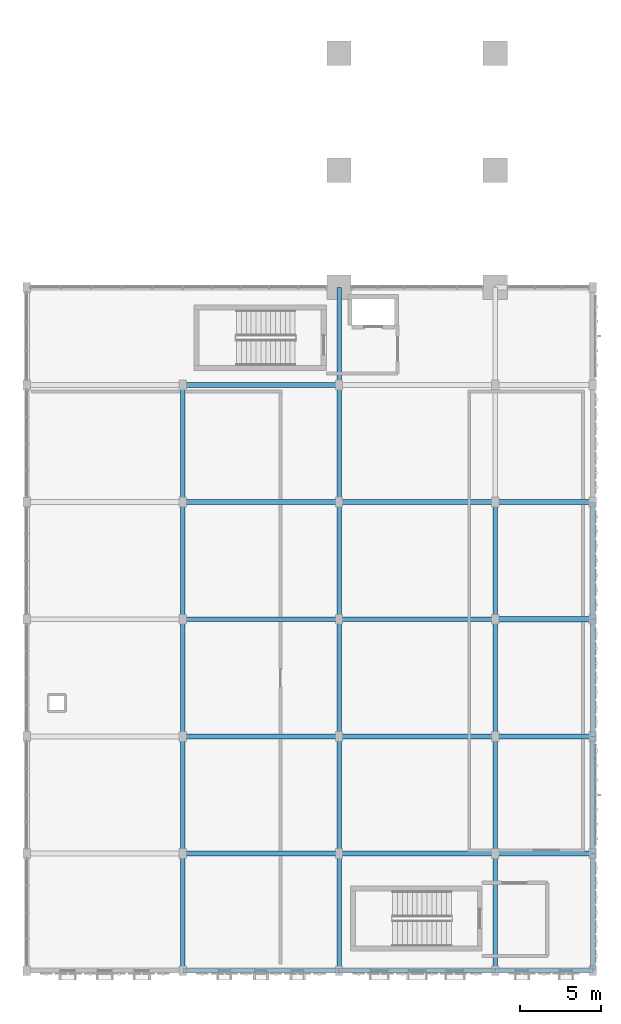
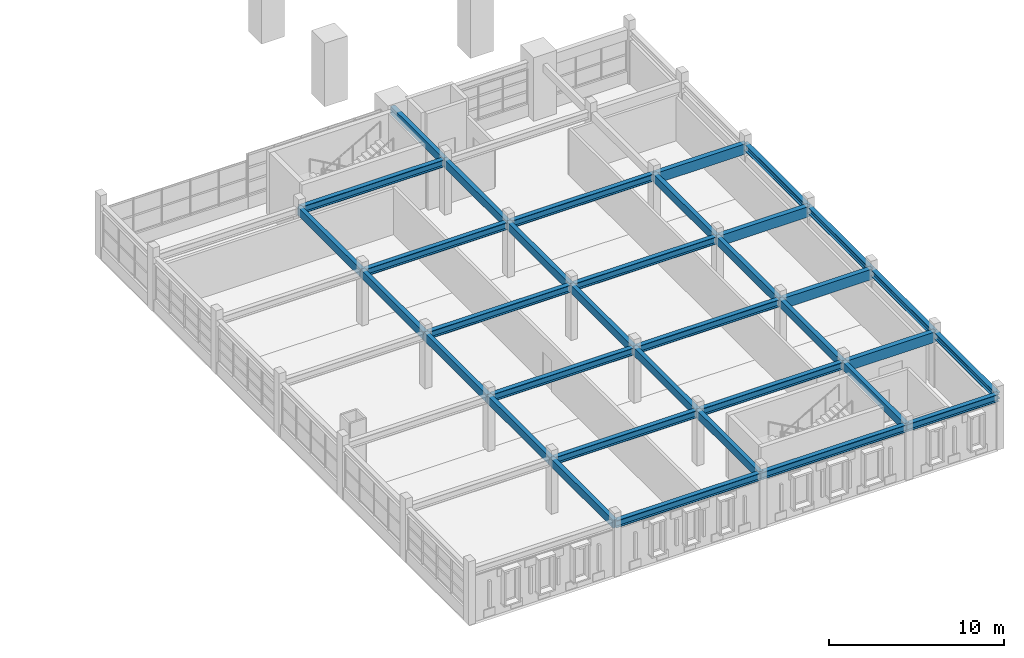
# One storey, part 26 of 69: 35 beams.
"""IFC4 building model written with IfcOpenShell, lengths in metres."""

from ifc_helpers import new_model, si_unit, direction, frame, origin, origin_2d, place, context, subcontext, project, spatial, rectangle, i_section, extrude, material, material_profile, profile_set, type_object, element, save


model = new_model("IFC4")

# Units and contexts
model_context = context("Model", 3, precision=1e-05, world=origin(), true_north=direction((0.0, 1.0)))
body_context = subcontext(model_context, "Body", "Model", "MODEL_VIEW")
ifc_project = project(units=[si_unit("LENGTHUNIT", "METRE"), si_unit("AREAUNIT", "SQUARE_METRE"), si_unit("VOLUMEUNIT", "CUBIC_METRE"), si_unit("PLANEANGLEUNIT", "RADIAN"), si_unit("MASSUNIT", "GRAM", prefix="KILO")], contexts=[model_context])

# Site, building, storey
site_placement = place(None, origin())
site = spatial("IfcSite", under=ifc_project, at=site_placement, CompositionType="ELEMENT")
building_placement = place(site_placement, origin())
building = spatial("IfcBuilding", under=site, at=building_placement, Name="Nzembalo Square Collegiate School", CompositionType="ELEMENT")
storey_placement = place(building_placement, frame((0.0, 0.0, 5.10009765625)))
storey = spatial("IfcBuildingStorey", under=building, at=storey_placement, Name="L01", CompositionType="ELEMENT", Elevation=5.10009765625)

# Beams
ifc_material_1 = material(Name="Glulam GL32h", Category="wood")
ifc_material_profile_1 = material_profile(ifc_material_1, rectangle(XDim=0.320068359375, YDim=0.719970703125, at=origin_2d()), Name="GL32h 320x720")
ifc_profile_set_1 = profile_set([ifc_material_profile_1], Name="Glulam GL32h")
beam_type_1 = type_object("IfcBeamType", Name="B03", PredefinedType="BEAM", material=ifc_profile_set_1)
for number, where, z_axis, x_axis, name in (
    (1, (159.60009765625, 15.60009765625, 3.389892578125), (1.0, 0.0, 0.0), (0.0, 1.0, 0.0), "Beam B03 L01"),
    (2, (159.60009765625, 22.800048828125, 3.389892578125), (1.0, 0.0, 0.0), (0.0, 1.0, 0.0), "Beam B03 L01"),
    (3, (159.60009765625, 30.0, 3.389892578125), (1.0, 0.0, 0.0), (0.0, 1.0, 0.0), "Beam B03 L01"),
    (4, (159.60009765625, 37.199951171875, 3.389892578125), (1.0, 0.0, 0.0), (0.0, 1.0, 0.0), "Beam B03 L01"),
):
    element("IfcBeam", number, at=place(storey_placement, frame(where, z_axis=z_axis, x_axis=x_axis)), inside=storey, type_object=beam_type_1, Name=name, PredefinedType="BEAM", context=body_context, shape_type="SweptSolid", body=[
        extrude(rectangle(XDim=0.320068359375, YDim=0.719970703125, at=origin_2d()), origin(), (0.0, 0.0, 1.0), 6.0),
    ])
ifc_material_2 = material(Name="Glulam GL28h", Category="wood")
ifc_material_profile_2 = material_profile(ifc_material_2, rectangle(XDim=0.280029296875, YDim=0.56005859375, at=origin_2d()), Name="GL28h 280x560")
ifc_profile_set_2 = profile_set([ifc_material_profile_2], Name="Glulam GL28h")
beam_type_2 = type_object("IfcBeamType", Name="B05", PredefinedType="BEAM", material=ifc_profile_set_2)
beam_1_placement = place(storey_placement, frame((140.39990234375, 8.39990234375, 3.469970703125), z_axis=(0.0, 1.0, 0.0), x_axis=(-1.0, 0.0, 0.0)))
element("IfcBeam", 5, at=beam_1_placement, inside=storey, type_object=beam_type_2, Name="Beam B05 L01", PredefinedType="BEAM", context=body_context, shape_type="SweptSolid", body=[
    extrude(rectangle(XDim=0.280029296875, YDim=0.56005859375, at=origin_2d()), origin(), (0.0, 0.0, 1.0), 7.2001953125),
])
for number, where, z_axis, x_axis, name in (
    (6, (140.39990234375, 15.60009765625, 3.469970703125), (0.0, 1.0, 0.0), (-1.0, 0.0, 0.0), "Beam B05 L01"),
    (7, (140.39990234375, 22.800048828125, 3.469970703125), (0.0, 1.0, 0.0), (-1.0, 0.0, 0.0), "Beam B05 L01"),
    (8, (140.39990234375, 30.0, 3.469970703125), (0.0, 1.0, 0.0), (-1.0, 0.0, 0.0), "Beam B05 L01"),
    (9, (140.39990234375, 37.199951171875, 3.469970703125), (0.0, 1.0, 0.0), (-1.0, 0.0, 0.0), "Beam B05 L01"),
):
    element("IfcBeam", number, at=place(storey_placement, frame(where, z_axis=z_axis, x_axis=x_axis)), inside=storey, type_object=beam_type_2, Name=name, PredefinedType="BEAM", context=body_context, shape_type="SweptSolid", body=[
        extrude(rectangle(XDim=0.280029296875, YDim=0.56005859375, at=origin_2d()), origin(), (0.0, 0.0, 1.0), 7.199951171875),
    ])
beam_2_placement = place(storey_placement, frame((150.0, 8.39990234375, 3.469970703125), z_axis=(0.0, 1.0, 0.0), x_axis=(-1.0, 0.0, 0.0)))
element("IfcBeam", 10, at=beam_2_placement, inside=storey, type_object=beam_type_2, Name="Beam B05 L01", PredefinedType="BEAM", context=body_context, shape_type="SweptSolid", body=[
    extrude(rectangle(XDim=0.280029296875, YDim=0.56005859375, at=origin_2d()), origin(), (0.0, 0.0, 1.0), 7.2001953125),
])
for number, where, z_axis, x_axis, name in (
    (11, (150.0, 15.60009765625, 3.469970703125), (0.0, 1.0, 0.0), (-1.0, 0.0, 0.0), "Beam B05 L01"),
    (12, (150.0, 22.800048828125, 3.469970703125), (0.0, 1.0, 0.0), (-1.0, 0.0, 0.0), "Beam B05 L01"),
    (13, (150.0, 30.0, 3.469970703125), (0.0, 1.0, 0.0), (-1.0, 0.0, 0.0), "Beam B05 L01"),
    (14, (150.0, 37.199951171875, 3.469970703125), (0.0, 1.0, 0.0), (-1.0, 0.0, 0.0), "Beam B05 L01"),
):
    element("IfcBeam", number, at=place(storey_placement, frame(where, z_axis=z_axis, x_axis=x_axis)), inside=storey, type_object=beam_type_2, Name=name, PredefinedType="BEAM", context=body_context, shape_type="SweptSolid", body=[
        extrude(rectangle(XDim=0.280029296875, YDim=0.56005859375, at=origin_2d()), origin(), (0.0, 0.0, 1.0), 7.199951171875),
    ])
beam_3_placement = place(storey_placement, frame((150.0, 44.39990234375, 3.469970703125), z_axis=(0.0, 1.0, 0.0), x_axis=(-1.0, 0.0, 0.0)))
element("IfcBeam", 15, at=beam_3_placement, inside=storey, type_object=beam_type_2, Name="Beam B05 L01", PredefinedType="BEAM", context=body_context, shape_type="SweptSolid", body=[
    extrude(rectangle(XDim=0.280029296875, YDim=0.56005859375, at=origin_2d()), origin(), (0.0, 0.0, 1.0), 6.0),
])
beam_4_placement = place(storey_placement, frame((159.60009765625, 8.39990234375, 3.469970703125), z_axis=(0.0, 1.0, 0.0), x_axis=(-1.0, 0.0, 0.0)))
element("IfcBeam", 16, at=beam_4_placement, inside=storey, type_object=beam_type_2, Name="Beam B05 L01", PredefinedType="BEAM", context=body_context, shape_type="SweptSolid", body=[
    extrude(rectangle(XDim=0.280029296875, YDim=0.56005859375, at=origin_2d()), origin(), (0.0, 0.0, 1.0), 7.2001953125),
])
for number, where, z_axis, x_axis, name in (
    (17, (159.60009765625, 15.60009765625, 3.469970703125), (0.0, 1.0, 0.0), (-1.0, 0.0, 0.0), "Beam B05 L01"),
    (18, (159.60009765625, 22.800048828125, 3.469970703125), (0.0, 1.0, 0.0), (-1.0, 0.0, 0.0), "Beam B05 L01"),
    (19, (159.60009765625, 30.0, 3.469970703125), (0.0, 1.0, 0.0), (-1.0, 0.0, 0.0), "Beam B05 L01"),
):
    element("IfcBeam", number, at=place(storey_placement, frame(where, z_axis=z_axis, x_axis=x_axis)), inside=storey, type_object=beam_type_2, Name=name, PredefinedType="BEAM", context=body_context, shape_type="SweptSolid", body=[
        extrude(rectangle(XDim=0.280029296875, YDim=0.56005859375, at=origin_2d()), origin(), (0.0, 0.0, 1.0), 7.199951171875),
    ])
ifc_material_3 = material(Name="Steel S355", Category="steel")
ifc_material_profile_3 = material_profile(ifc_material_3, i_section(OverallWidth=0.300048828125, OverallDepth=0.5, WebThickness=0.014404296875, FlangeThickness=0.028076171875, at=origin_2d()), Name="HEB 500")
ifc_profile_set_3 = profile_set([ifc_material_profile_3], Name="Steel S355")
beam_type_3 = type_object("IfcBeamType", Name="B07", PredefinedType="BEAM", material=ifc_profile_set_3)
for number, where, z_axis, x_axis, name in (
    (20, (140.39990234375, 8.39990234375, 3.5), (1.0, 0.0, 0.0), (0.0, 1.0, 0.0), "Beam B07 L01"),
    (21, (150.0, 8.39990234375, 3.5), (1.0, 0.0, 0.0), (0.0, 1.0, 0.0), "Beam B07 L01"),
):
    element("IfcBeam", number, at=place(storey_placement, frame(where, z_axis=z_axis, x_axis=x_axis)), inside=storey, type_object=beam_type_3, Name=name, PredefinedType="BEAM", context=body_context, shape_type="SweptSolid", body=[
        extrude(i_section(OverallWidth=0.300048828125, OverallDepth=0.5, WebThickness=0.014404296875, FlangeThickness=0.028076171875, at=origin_2d()), origin(), (0.0, 0.0, 1.0), 9.60009765625),
    ])
beam_5_placement = place(storey_placement, frame((159.60009765625, 8.39990234375, 3.5), z_axis=(1.0, 0.0, 0.0), x_axis=(0.0, 1.0, 0.0)))
element("IfcBeam", 22, at=beam_5_placement, inside=storey, type_object=beam_type_3, Name="Beam B07 L01", PredefinedType="BEAM", context=body_context, shape_type="SweptSolid", body=[
    extrude(i_section(OverallWidth=0.300048828125, OverallDepth=0.5, WebThickness=0.014404296875, FlangeThickness=0.028076171875, at=origin_2d()), origin(), (0.0, 0.0, 1.0), 6.0),
])
for number, where, z_axis, x_axis, name in (
    (23, (140.39990234375, 15.60009765625, 3.5), (1.0, 0.0, 0.0), (0.0, 1.0, 0.0), "Beam B07 L01"),
    (24, (150.0, 15.60009765625, 3.5), (1.0, 0.0, 0.0), (0.0, 1.0, 0.0), "Beam B07 L01"),
    (25, (140.39990234375, 22.800048828125, 3.5), (1.0, 0.0, 0.0), (0.0, 1.0, 0.0), "Beam B07 L01"),
    (26, (150.0, 22.800048828125, 3.5), (1.0, 0.0, 0.0), (0.0, 1.0, 0.0), "Beam B07 L01"),
    (27, (140.39990234375, 30.0, 3.5), (1.0, 0.0, 0.0), (0.0, 1.0, 0.0), "Beam B07 L01"),
    (28, (150.0, 30.0, 3.5), (1.0, 0.0, 0.0), (0.0, 1.0, 0.0), "Beam B07 L01"),
    (29, (140.39990234375, 37.199951171875, 3.5), (1.0, 0.0, 0.0), (0.0, 1.0, 0.0), "Beam B07 L01"),
    (30, (150.0, 37.199951171875, 3.5), (1.0, 0.0, 0.0), (0.0, 1.0, 0.0), "Beam B07 L01"),
    (31, (140.39990234375, 44.39990234375, 3.5), (1.0, 0.0, 0.0), (0.0, 1.0, 0.0), "Beam B07 L01"),
):
    element("IfcBeam", number, at=place(storey_placement, frame(where, z_axis=z_axis, x_axis=x_axis)), inside=storey, type_object=beam_type_3, Name=name, PredefinedType="BEAM", context=body_context, shape_type="SweptSolid", body=[
        extrude(i_section(OverallWidth=0.300048828125, OverallDepth=0.5, WebThickness=0.014404296875, FlangeThickness=0.028076171875, at=origin_2d()), origin(), (0.0, 0.0, 1.0), 9.60009765625),
    ])
ifc_material_4 = material(Name="Steel S355", Category="steel")
ifc_material_profile_4 = material_profile(ifc_material_4, i_section(OverallWidth=0.300048828125, OverallDepth=0.449951171875, WebThickness=0.013916015625, FlangeThickness=0.02587890625, at=origin_2d()), Name="HEB 450")
ifc_profile_set_4 = profile_set([ifc_material_profile_4], Name="Steel S355")
beam_type_4 = type_object("IfcBeamType", Name="B08", PredefinedType="BEAM", material=ifc_profile_set_4)
beam_6_placement = place(storey_placement, frame((165.60009765625, 8.39990234375, 3.52490234375), z_axis=(0.0, 1.0, 0.0), x_axis=(-1.0, 0.0, 0.0)))
element("IfcBeam", 32, at=beam_6_placement, inside=storey, type_object=beam_type_4, Name="Beam B08 L01", PredefinedType="BEAM", context=body_context, shape_type="SweptSolid", body=[
    extrude(i_section(OverallWidth=0.300048828125, OverallDepth=0.449951171875, WebThickness=0.013916015625, FlangeThickness=0.02587890625, at=origin_2d()), origin(), (0.0, 0.0, 1.0), 7.2001953125),
])
for number, where, z_axis, x_axis, name in (
    (33, (165.60009765625, 15.60009765625, 3.52490234375), (0.0, 1.0, 0.0), (-1.0, 0.0, 0.0), "Beam B08 L01"),
    (34, (165.60009765625, 22.800048828125, 3.52490234375), (0.0, 1.0, 0.0), (-1.0, 0.0, 0.0), "Beam B08 L01"),
    (35, (165.60009765625, 30.0, 3.52490234375), (0.0, 1.0, 0.0), (-1.0, 0.0, 0.0), "Beam B08 L01"),
):
    element("IfcBeam", number, at=place(storey_placement, frame(where, z_axis=z_axis, x_axis=x_axis)), inside=storey, type_object=beam_type_4, Name=name, PredefinedType="BEAM", context=body_context, shape_type="SweptSolid", body=[
        extrude(i_section(OverallWidth=0.300048828125, OverallDepth=0.449951171875, WebThickness=0.013916015625, FlangeThickness=0.02587890625, at=origin_2d()), origin(), (0.0, 0.0, 1.0), 7.199951171875),
    ])

save(model, "model.ifc")
